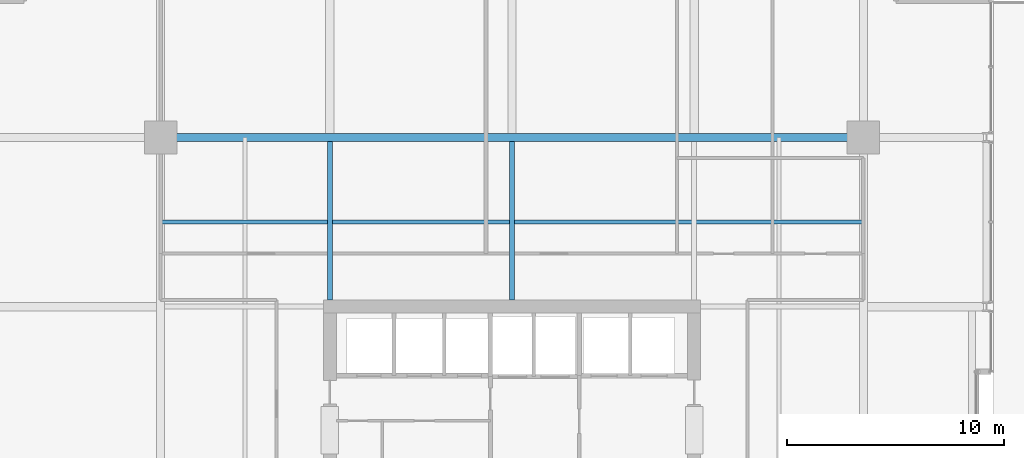
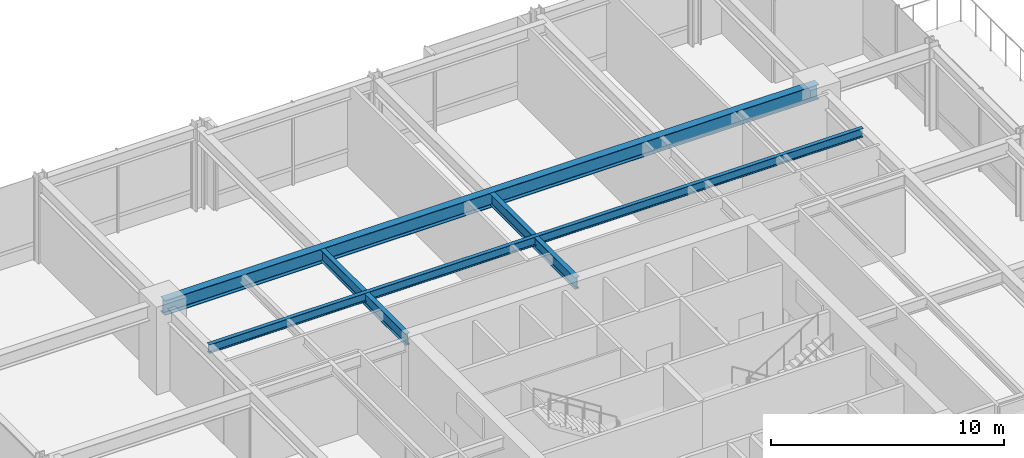
# One storey, part 19 of 33: 4 beams.
"""IFC4 building model written with IfcOpenShell, lengths in metres."""

from ifc_helpers import new_model, si_unit, direction, frame, origin, origin_2d, place, context, subcontext, project, spatial, i_section, extrude, material, material_profile, profile_set, type_object, element, save


model = new_model("IFC4")

# Units and contexts
model_context = context("Model", 3, precision=1e-05, world=origin(), true_north=direction((0.0, 1.0)))
body_context = subcontext(model_context, "Body", "Model", "MODEL_VIEW")
ifc_project = project(units=[si_unit("LENGTHUNIT", "METRE"), si_unit("AREAUNIT", "SQUARE_METRE"), si_unit("VOLUMEUNIT", "CUBIC_METRE"), si_unit("PLANEANGLEUNIT", "RADIAN"), si_unit("MASSUNIT", "GRAM", prefix="KILO")], contexts=[model_context])

# Site, building, storey
site_placement = place(None, origin())
site = spatial("IfcSite", under=ifc_project, at=site_placement, CompositionType="ELEMENT")
building_placement = place(site_placement, origin())
building = spatial("IfcBuilding", under=site, at=building_placement, Name="Drelvath Grand Hotel", CompositionType="ELEMENT")
storey_placement = place(building_placement, frame((0.0, 0.0, 87.199951171875)))
storey = spatial("IfcBuildingStorey", under=building, at=storey_placement, Name="L21", CompositionType="ELEMENT", Elevation=87.199951171875)

# Beams
ifc_material = material(Name="Steel ASTM A992 Gr 50", Category="steel")
ifc_material_profile_1 = material_profile(ifc_material, i_section(OverallWidth=0.19140625, OverallDepth=0.4599609375, WebThickness=0.010009765625, FlangeThickness=0.01611328125, FilletRadius=0.01611328125, at=origin_2d()), Name="W18X55")
ifc_profile_set_1 = profile_set([ifc_material_profile_1], Name="Steel ASTM A992 Gr 50")
beam_type_1 = type_object("IfcBeamType", Name="Composite Floor Joist W18X55", PredefinedType="JOIST", material=ifc_profile_set_1)
beam_1_placement = place(storey_placement, frame((-16.199951171875, 39.300048828125, 4.110107421875), z_axis=(1.0, 0.0, 0.0), x_axis=(0.0, 1.0, 0.0)))
element("IfcBeam", 1, at=beam_1_placement, inside=storey, type_object=beam_type_1, Name="L21 Floor Joist J2", PredefinedType="JOIST", context=body_context, shape_type="SweptSolid", body=[
    extrude(i_section(OverallWidth=0.19140625, OverallDepth=0.4599609375, WebThickness=0.010009765625, FlangeThickness=0.01611328125, FilletRadius=0.01611328125, at=origin_2d()), origin(), (0.0, 0.0, 1.0), 32.39990234375),
])
ifc_material_profile_2 = material_profile(ifc_material, i_section(OverallWidth=0.228271484375, OverallDepth=0.607666015625, WebThickness=0.01123046875, FlangeThickness=0.017333984375, FilletRadius=0.02001953125, at=origin_2d()), Name="W24X76")
ifc_profile_set_2 = profile_set([ifc_material_profile_2], Name="Steel ASTM A992 Gr 50")
beam_type_2 = type_object("IfcBeamType", Name="Primary Floor Girder W24X76", PredefinedType="BEAM", material=ifc_profile_set_2)
for number, where, z_axis, x_axis, name in (
    (2, (-8.39990234375, 35.699951171875, 4.0361328125), (0.0, 1.0, 0.0), (-1.0, 0.0, 0.0), "L21 North Core Tie 4"),
    (3, (0.0, 35.699951171875, 4.0361328125), (0.0, 1.0, 0.0), (-1.0, 0.0, 0.0), "L21 North Core Tie 5"),
):
    element("IfcBeam", number, at=place(storey_placement, frame(where, z_axis=z_axis, x_axis=x_axis)), inside=storey, type_object=beam_type_2, Name=name, PredefinedType="BEAM", context=body_context, shape_type="SweptSolid", body=[
        extrude(i_section(OverallWidth=0.228271484375, OverallDepth=0.607666015625, WebThickness=0.01123046875, FlangeThickness=0.017333984375, FilletRadius=0.02001953125, at=origin_2d()), origin(), (0.0, 0.0, 1.0), 7.309814453125),
    ])
ifc_material_profile_3 = material_profile(ifc_material, i_section(OverallWidth=0.380615234375, OverallDepth=0.773193359375, WebThickness=0.0166015625, FlangeThickness=0.027099609375, FilletRadius=0.02490234375, at=origin_2d()), Name="W30X173")
ifc_profile_set_3 = profile_set([ifc_material_profile_3], Name="Steel ASTM A992 Gr 50")
beam_type_3 = type_object("IfcBeamType", Name="Primary Floor Girder W30X173", PredefinedType="BEAM", material=ifc_profile_set_3)
beam_2_placement = place(storey_placement, frame((-16.199951171875, 43.199951171875, 3.953369140625), z_axis=(1.0, 0.0, 0.0), x_axis=(0.0, 1.0, 0.0)))
element("IfcBeam", 4, at=beam_2_placement, inside=storey, type_object=beam_type_3, Name="L21 Mega Ring Girder North", PredefinedType="BEAM", context=body_context, shape_type="SweptSolid", body=[
    extrude(i_section(OverallWidth=0.380615234375, OverallDepth=0.773193359375, WebThickness=0.0166015625, FlangeThickness=0.027099609375, FilletRadius=0.02490234375, at=origin_2d()), origin(), (0.0, 0.0, 1.0), 32.39990234375),
])

save(model, "model.ifc")
